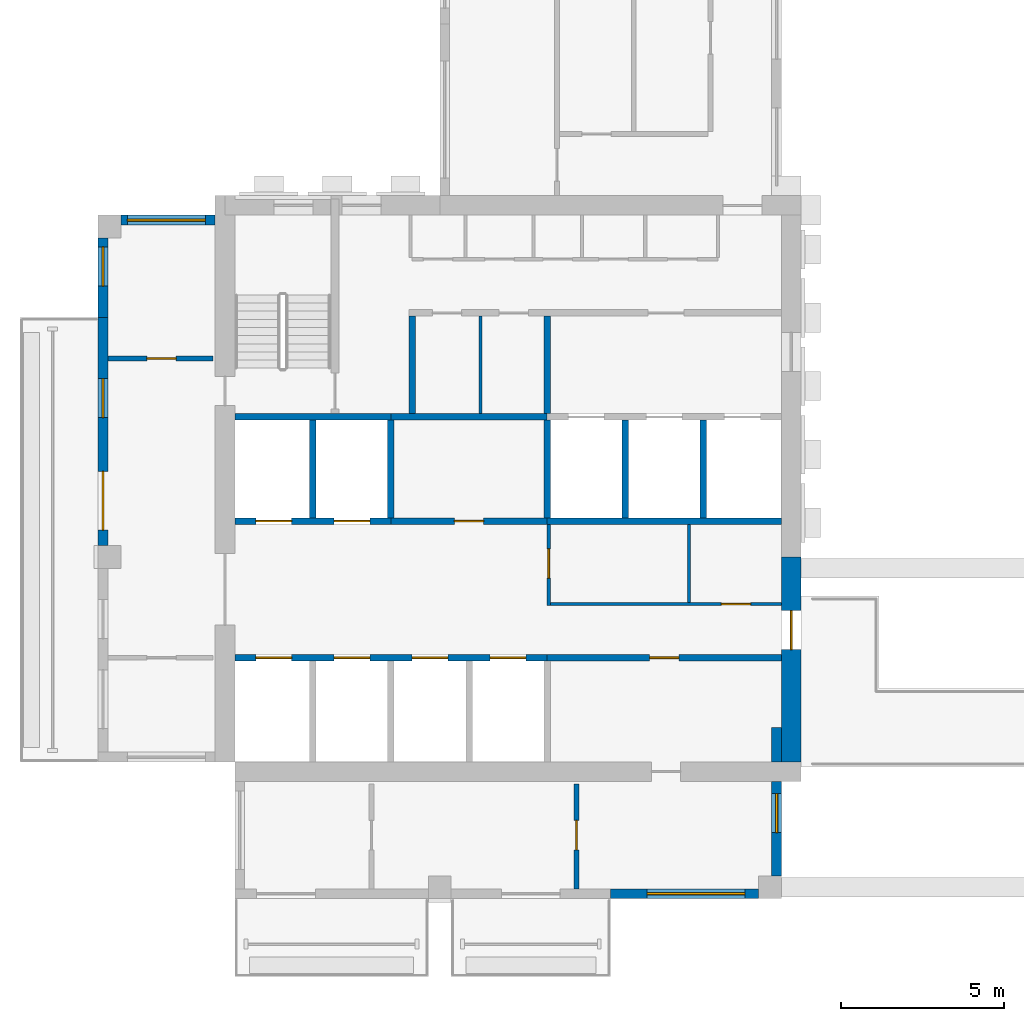
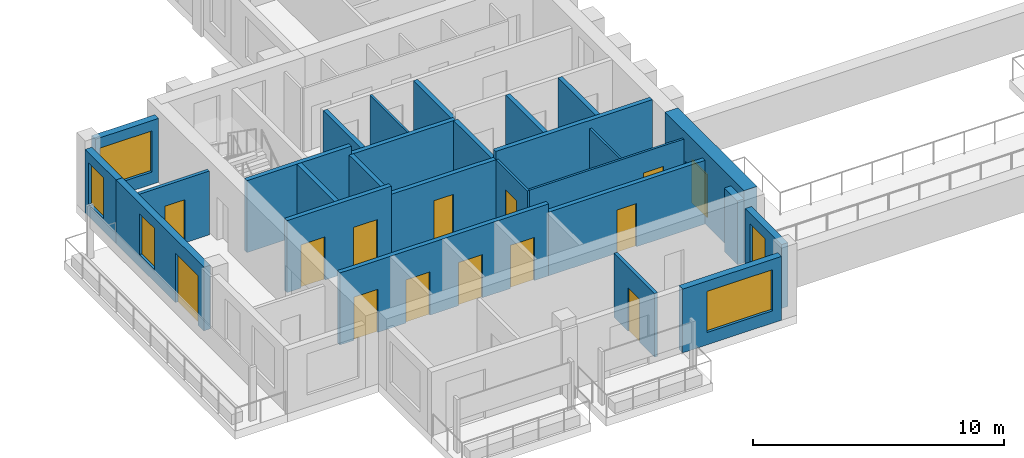
# One storey, part 2 of 9: 27 walls, 14 doors, 5 windows, 19 openings.
"""IFC4 building model written with IfcOpenShell, lengths in metres."""

from ifc_helpers import new_model, si_unit, direction, frame, frame_2d, origin, place, context, subcontext, project, spatial, rectangle, extrude, source, transform, mapped, material, layer, layer_set, type_object, element, fill, save


model = new_model("IFC4")

# Units and contexts
model_context = context("Model", 3, precision=1e-05, world=origin(), true_north=direction((0.0, 1.0)))
body_context = subcontext(model_context, "Body", "Model", "MODEL_VIEW")
ifc_project = project(units=[si_unit("LENGTHUNIT", "METRE"), si_unit("AREAUNIT", "SQUARE_METRE"), si_unit("VOLUMEUNIT", "CUBIC_METRE"), si_unit("PLANEANGLEUNIT", "RADIAN"), si_unit("MASSUNIT", "GRAM", prefix="KILO")], contexts=[model_context])

# Site, building, storey
site_placement = place(None, origin())
site = spatial("IfcSite", under=ifc_project, at=site_placement, CompositionType="ELEMENT")
building_placement = place(site_placement, origin())
building = spatial("IfcBuilding", under=site, at=building_placement, Name="Aurelian Terraces", CompositionType="ELEMENT")
storey_placement = place(building_placement, frame((0.0, 0.0, 305.5)))
storey = spatial("IfcBuildingStorey", under=building, at=storey_placement, Name="L70", CompositionType="ELEMENT", Elevation=305.5)

# Wall, opening, door
ifc_material_1 = material(Name="Concrete fc' 55 MPa", Category="concrete")
ifc_layer_1 = layer(ifc_material_1, 0.6)
ifc_layer_set_1 = layer_set([ifc_layer_1], Name="CORE WALL 600 FC55")
wall_type_1 = type_object("IfcWallType", Name="CORE WALL 600 FC55", PredefinedType="SHEAR", material=ifc_layer_set_1)
shared_shape_1 = source(origin(), body_context, "Body", "SweptSolid", [
    extrude(rectangle(XDim=6.3, YDim=0.6, at=frame_2d((3.15, 0.0))), origin(), (0.0, 0.0, 1.0), 3.5),
])
wall_1_placement = place(storey_placement, frame((21.3, 4.2, 0.0), z_axis=(0.0, 0.0, 1.0), x_axis=(0.0, 1.0, 0.0)))
wall_1 = element("IfcWall", 1, at=wall_1_placement, inside=storey, type_object=wall_type_1, Name="Core wall E L70", PredefinedType="SHEAR", context=body_context, shape_type="MappedRepresentation", body=[
    mapped(shared_shape_1, transform((0.0, 0.0, 0.0), scale=1.0)),
])
shared_shape_2 = source(origin(), body_context, "Body", "SweptSolid", [
    extrude(rectangle(XDim=1.2, YDim=2.1, at=frame_2d((0.6, 1.05))), frame((0.0, 0.31, 0.0), z_axis=(0.0, -1.0, 0.0), x_axis=(1.0, 0.0, 0.0)), (0.0, 0.0, 1.0), 0.62),
])
opening_1_placement = place(wall_1_placement, frame((3.45, 0.0, 0.0)))
opening_1 = element("IfcOpeningElement", 2, at=opening_1_placement, cuts=wall_1, Name="Opening 67330", PredefinedType="OPENING", context=body_context, shape_type="MappedRepresentation", body=[
    mapped(shared_shape_2, transform((0.0, 0.0, 0.0), scale=1.0)),
])
ifc_material_2 = material(Name="Steel door leaf", Category="steel")
door_type_1 = type_object("IfcDoorType", Name="Core fire door 1200x2100 right", OperationType="SINGLE_SWING_RIGHT", PredefinedType="DOOR", material=ifc_material_2)
shared_shape_3 = source(origin(), body_context, "Body", "SweptSolid", [
    extrude(rectangle(XDim=1.2, YDim=2.1, at=frame_2d((0.6, 1.05))), frame((0.0, 0.025, 0.0), z_axis=(0.0, -1.0, 0.0), x_axis=(1.0, 0.0, 0.0)), (0.0, 0.0, 1.0), 0.05),
])
door_1_placement = place(opening_1_placement, origin())
door_1 = element("IfcDoor", 3, at=door_1_placement, inside=storey, type_object=door_type_1, Name="Core door 67330", OperationType="SINGLE_SWING_RIGHT", OverallHeight=2.1, OverallWidth=1.2, PredefinedType="DOOR", context=body_context, shape_type="MappedRepresentation", body=[
    mapped(shared_shape_3, transform((0.0, 0.0, 0.0), scale=1.0)),
])
fill(opening_1, door_1)

# Wall, opening, window
ifc_material_3 = material(Name="Terracotta rainscreen cladding", Category="masonry")
ifc_layer_2 = layer(ifc_material_3, 0.3)
ifc_layer_set_2 = layer_set([ifc_layer_2], Name="EW-300")
wall_type_2 = type_object("IfcWallType", Name="EW-300", PredefinedType="STANDARD", material=ifc_layer_set_2)
shared_shape_4 = source(origin(), body_context, "Body", "SweptSolid", [
    extrude(rectangle(XDim=2.9, YDim=0.3, at=frame_2d((1.45, 0.0))), origin(), (0.0, 0.0, 1.0), 3.1),
])
wall_2_placement = place(storey_placement, frame((20.85, 0.7, 0.0), z_axis=(0.0, 0.0, 1.0), x_axis=(0.0, 1.0, 0.0)))
wall_2 = element("IfcWall", 4, at=wall_2_placement, inside=storey, type_object=wall_type_2, Name="External wall L70 F02.4", PredefinedType="STANDARD", context=body_context, shape_type="MappedRepresentation", body=[
    mapped(shared_shape_4, transform((0.0, 0.0, 0.0), scale=1.0)),
])
shared_shape_5 = source(origin(), body_context, "Body", "SweptSolid", [
    extrude(rectangle(XDim=1.2, YDim=2.0, at=frame_2d((0.6, 1.0))), frame((0.0, 0.16, 0.0), z_axis=(0.0, -1.0, 0.0), x_axis=(1.0, 0.0, 0.0)), (0.0, 0.0, 1.0), 0.32),
])
opening_2_placement = place(wall_2_placement, frame((1.325, 0.0, 0.6)))
opening_2 = element("IfcOpeningElement", 5, at=opening_2_placement, cuts=wall_2, Name="Opening W1220", PredefinedType="OPENING", context=body_context, shape_type="MappedRepresentation", body=[
    mapped(shared_shape_5, transform((0.0, 0.0, 0.0), scale=1.0)),
])
ifc_material_4 = material(Name="Clear glazing", Category="glass")
window_type_1 = type_object("IfcWindowType", Name="W-1200x2000", PartitioningType="SINGLE_PANEL", PredefinedType="WINDOW", material=ifc_material_4)
shared_shape_6 = source(origin(), body_context, "Body", "SweptSolid", [
    extrude(rectangle(XDim=1.2, YDim=2.0, at=frame_2d((0.6, 1.0))), frame((0.0, 0.03, 0.0), z_axis=(0.0, -1.0, 0.0), x_axis=(1.0, 0.0, 0.0)), (0.0, 0.0, 1.0), 0.06),
])
window_1_placement = place(opening_2_placement, origin())
window_1 = element("IfcWindow", 6, at=window_1_placement, inside=storey, type_object=window_type_1, Name="Window L70 L70-F02-04-0", OverallHeight=2.0, OverallWidth=1.2, PartitioningType="SINGLE_PANEL", PredefinedType="WINDOW", context=body_context, shape_type="MappedRepresentation", body=[
    mapped(shared_shape_6, transform((0.0, 0.0, 0.0), scale=1.0)),
])
fill(opening_2, window_1)

wall_3_placement = place(storey_placement, frame((3.6, 20.85, 0.0), z_axis=(0.0, 0.0, 1.0), x_axis=(-1.0, 0.0, 0.0)))
wall_3 = element("IfcWall", 7, at=wall_3_placement, inside=storey, type_object=wall_type_2, Name="External wall L70 F09.18", PredefinedType="STANDARD", context=body_context, shape_type="MappedRepresentation", body=[
    mapped(shared_shape_4, transform((0.0, 0.0, 0.0), scale=1.0)),
])
shared_shape_7 = source(origin(), body_context, "Body", "SweptSolid", [
    extrude(rectangle(XDim=2.4, YDim=2.0, at=frame_2d((1.2, 1.0))), frame((0.0, 0.16, 0.0), z_axis=(0.0, -1.0, 0.0), x_axis=(1.0, 0.0, 0.0)), (0.0, 0.0, 1.0), 0.32),
])
opening_3_placement = place(wall_3_placement, frame((0.3, 0.0, 0.6)))
opening_3 = element("IfcOpeningElement", 8, at=opening_3_placement, cuts=wall_3, Name="Opening W2420", PredefinedType="OPENING", context=body_context, shape_type="MappedRepresentation", body=[
    mapped(shared_shape_7, transform((0.0, 0.0, 0.0), scale=1.0)),
])
window_type_2 = type_object("IfcWindowType", Name="W-2400x2000", PartitioningType="SINGLE_PANEL", PredefinedType="WINDOW", material=ifc_material_4)
shared_shape_8 = source(origin(), body_context, "Body", "SweptSolid", [
    extrude(rectangle(XDim=2.4, YDim=2.0, at=frame_2d((1.2, 1.0))), frame((0.0, 0.03, 0.0), z_axis=(0.0, -1.0, 0.0), x_axis=(1.0, 0.0, 0.0)), (0.0, 0.0, 1.0), 0.06),
])
window_2_placement = place(opening_3_placement, origin())
window_2 = element("IfcWindow", 9, at=window_2_placement, inside=storey, type_object=window_type_2, Name="Window L70 L70-F09-18-0", OverallHeight=2.0, OverallWidth=2.4, PartitioningType="SINGLE_PANEL", PredefinedType="WINDOW", context=body_context, shape_type="MappedRepresentation", body=[
    mapped(shared_shape_8, transform((0.0, 0.0, 0.0), scale=1.0)),
])
fill(opening_3, window_2)

# Wall
shared_shape_9 = source(origin(), body_context, "Body", "SweptSolid", [
    extrude(rectangle(XDim=1.05, YDim=0.3, at=frame_2d((0.525, 0.0))), origin(), (0.0, 0.0, 1.0), 3.1),
])
wall_4_placement = place(storey_placement, frame((20.85, 4.2, 0.0), z_axis=(0.0, 0.0, 1.0), x_axis=(0.0, 1.0, 0.0)))
element("IfcWall", 10, at=wall_4_placement, inside=storey, type_object=wall_type_2, Name="External wall L70 F02.4", PredefinedType="STANDARD", context=body_context, shape_type="MappedRepresentation", body=[
    mapped(shared_shape_9, transform((0.0, 0.0, 0.0), scale=1.0)),
])

# Wall, opening, window
shared_shape_10 = source(origin(), body_context, "Body", "SweptSolid", [
    extrude(rectangle(XDim=2.45, YDim=0.3, at=frame_2d((1.225, 0.0))), origin(), (0.0, 0.0, 1.0), 3.1),
])
wall_5_placement = place(storey_placement, frame((0.15, 20.3, 0.0), z_axis=(0.0, 0.0, 1.0), x_axis=(0.0, -1.0, 0.0)))
wall_5 = element("IfcWall", 11, at=wall_5_placement, inside=storey, type_object=wall_type_2, Name="External wall L70 F10.19", PredefinedType="STANDARD", context=body_context, shape_type="MappedRepresentation", body=[
    mapped(shared_shape_10, transform((0.0, 0.0, 0.0), scale=1.0)),
])
opening_4_placement = place(wall_5_placement, frame((0.275, 0.0, 0.6)))
opening_4 = element("IfcOpeningElement", 12, at=opening_4_placement, cuts=wall_5, Name="Opening W1220", PredefinedType="OPENING", context=body_context, shape_type="MappedRepresentation", body=[
    mapped(shared_shape_5, transform((0.0, 0.0, 0.0), scale=1.0)),
])
window_3_placement = place(opening_4_placement, origin())
window_3 = element("IfcWindow", 13, at=window_3_placement, inside=storey, type_object=window_type_1, Name="Window L70 L70-F10-19-0", OverallHeight=2.0, OverallWidth=1.2, PartitioningType="SINGLE_PANEL", PredefinedType="WINDOW", context=body_context, shape_type="MappedRepresentation", body=[
    mapped(shared_shape_6, transform((0.0, 0.0, 0.0), scale=1.0)),
])
fill(opening_4, window_3)

# Wall, openings, door, window
shared_shape_11 = source(origin(), body_context, "Body", "SweptSolid", [
    extrude(rectangle(XDim=7.0, YDim=0.3, at=frame_2d((3.5, 0.0))), origin(), (0.0, 0.0, 1.0), 3.1),
])
wall_6_placement = place(storey_placement, frame((0.15, 17.85, 0.0), z_axis=(0.0, 0.0, 1.0), x_axis=(0.0, -1.0, 0.0)))
wall_6 = element("IfcWall", 14, at=wall_6_placement, inside=storey, type_object=wall_type_2, Name="External wall L70 F10.20", PredefinedType="STANDARD", context=body_context, shape_type="MappedRepresentation", body=[
    mapped(shared_shape_11, transform((0.0, 0.0, 0.0), scale=1.0)),
])
shared_shape_12 = source(origin(), body_context, "Body", "SweptSolid", [
    extrude(rectangle(XDim=1.8, YDim=2.4, at=frame_2d((0.9, 1.2))), frame((0.0, 0.16, 0.0), z_axis=(0.0, -1.0, 0.0), x_axis=(1.0, 0.0, 0.0)), (0.0, 0.0, 1.0), 0.32),
])
opening_5_placement = place(wall_6_placement, frame((4.725, 0.0, 0.0)))
opening_5 = element("IfcOpeningElement", 15, at=opening_5_placement, cuts=wall_6, Name="Opening 87003", PredefinedType="OPENING", context=body_context, shape_type="MappedRepresentation", body=[
    mapped(shared_shape_12, transform((0.0, 0.0, 0.0), scale=1.0)),
])
opening_6_placement = place(wall_6_placement, frame((1.8688, 0.0, 0.6)))
opening_6 = element("IfcOpeningElement", 16, at=opening_6_placement, cuts=wall_6, Name="Opening W1220", PredefinedType="OPENING", context=body_context, shape_type="MappedRepresentation", body=[
    mapped(shared_shape_5, transform((0.0, 0.0, 0.0), scale=1.0)),
])
door_type_2 = type_object("IfcDoorType", Name="BD-1800x2400", OperationType="SLIDING_TO_LEFT", PredefinedType="DOOR", material=ifc_material_4)
shared_shape_13 = source(origin(), body_context, "Body", "SweptSolid", [
    extrude(rectangle(XDim=1.8, YDim=2.4, at=frame_2d((0.9, 1.2))), frame((0.0, 0.025, 0.0), z_axis=(0.0, -1.0, 0.0), x_axis=(1.0, 0.0, 0.0)), (0.0, 0.0, 1.0), 0.05),
])
door_2_placement = place(opening_5_placement, origin())
door_2 = element("IfcDoor", 17, at=door_2_placement, inside=storey, type_object=door_type_2, Name="Balcony door L70 F10.20", OperationType="SLIDING_TO_LEFT", OverallHeight=2.4, OverallWidth=1.8, PredefinedType="DOOR", context=body_context, shape_type="MappedRepresentation", body=[
    mapped(shared_shape_13, transform((0.0, 0.0, 0.0), scale=1.0)),
])
fill(opening_5, door_2)
window_4_placement = place(opening_6_placement, origin())
window_4 = element("IfcWindow", 18, at=window_4_placement, inside=storey, type_object=window_type_1, Name="Window L70 L70-F10-20-G0-0", OverallHeight=2.0, OverallWidth=1.2, PartitioningType="SINGLE_PANEL", PredefinedType="WINDOW", context=body_context, shape_type="MappedRepresentation", body=[
    mapped(shared_shape_6, transform((0.0, 0.0, 0.0), scale=1.0)),
])
fill(opening_6, window_4)

# Wall, opening, window
shared_shape_14 = source(origin(), body_context, "Body", "SweptSolid", [
    extrude(rectangle(XDim=4.55, YDim=0.3, at=frame_2d((2.275, 0.0))), origin(), (0.0, 0.0, 1.0), 3.1),
])
wall_7_placement = place(storey_placement, frame((15.75, 0.15, 0.0), z_axis=(0.0, 0.0, 1.0), x_axis=(1.0, 0.0, 0.0)))
wall_7 = element("IfcWall", 19, at=wall_7_placement, inside=storey, type_object=wall_type_2, Name="External wall L70 F01.3", PredefinedType="STANDARD", context=body_context, shape_type="MappedRepresentation", body=[
    mapped(shared_shape_14, transform((0.0, 0.0, 0.0), scale=1.0)),
])
shared_shape_15 = source(origin(), body_context, "Body", "SweptSolid", [
    extrude(rectangle(XDim=3.0, YDim=2.0, at=frame_2d((1.5, 1.0))), frame((0.0, 0.16, 0.0), z_axis=(0.0, -1.0, 0.0), x_axis=(1.0, 0.0, 0.0)), (0.0, 0.0, 1.0), 0.32),
])
opening_7_placement = place(wall_7_placement, frame((1.125, 0.0, 0.6)))
opening_7 = element("IfcOpeningElement", 20, at=opening_7_placement, cuts=wall_7, Name="Opening W3020", PredefinedType="OPENING", context=body_context, shape_type="MappedRepresentation", body=[
    mapped(shared_shape_15, transform((0.0, 0.0, 0.0), scale=1.0)),
])
window_type_3 = type_object("IfcWindowType", Name="W-3000x2000", PartitioningType="SINGLE_PANEL", PredefinedType="WINDOW", material=ifc_material_4)
shared_shape_16 = source(origin(), body_context, "Body", "SweptSolid", [
    extrude(rectangle(XDim=3.0, YDim=2.0, at=frame_2d((1.5, 1.0))), frame((0.0, 0.03, 0.0), z_axis=(0.0, -1.0, 0.0), x_axis=(1.0, 0.0, 0.0)), (0.0, 0.0, 1.0), 0.06),
])
window_5_placement = place(opening_7_placement, origin())
window_5 = element("IfcWindow", 21, at=window_5_placement, inside=storey, type_object=window_type_3, Name="Window L70 L70-F01-03-0", OverallHeight=2.0, OverallWidth=3.0, PartitioningType="SINGLE_PANEL", PredefinedType="WINDOW", context=body_context, shape_type="MappedRepresentation", body=[
    mapped(shared_shape_16, transform((0.0, 0.0, 0.0), scale=1.0)),
])
fill(opening_7, window_5)

# Walls
ifc_material_5 = material(Name="Concrete fc' 40 MPa", Category="concrete")
ifc_layer_3 = layer(ifc_material_5, 0.2)
ifc_layer_set_3 = layer_set([ifc_layer_3], Name="Lift shaft wall 200")
wall_type_3 = type_object("IfcWallType", Name="Lift shaft wall 200", PredefinedType="SOLIDWALL", material=ifc_layer_set_3)
shared_shape_17 = source(origin(), body_context, "Body", "SweptSolid", [
    extrude(rectangle(XDim=3.0, YDim=0.2, at=frame_2d((1.5, 0.0))), origin(), (0.0, 0.0, 1.0), 3.1),
])
for number, where, z_axis, x_axis, name in (
    (22, (9.0, 11.7, 0.0), (0.0, 0.0, 1.0), (0.0, 1.0, 0.0), "L70 core wall CD-B2"),
    (23, (13.8, 11.7, 0.0), (0.0, 0.0, 1.0), (0.0, 1.0, 0.0), "L70 core wall CD-B4"),
):
    element("IfcWall", number, at=place(storey_placement, frame(where, z_axis=z_axis, x_axis=x_axis)), inside=storey, type_object=wall_type_3, Name=name, PredefinedType="SOLIDWALL", context=body_context, shape_type="MappedRepresentation", body=[
        mapped(shared_shape_17, transform((0.0, 0.0, 0.0), scale=1.0)),
    ])
shared_shape_18 = source(origin(), body_context, "Body", "SweptSolid", [
    extrude(rectangle(XDim=3.0, YDim=0.2, at=frame_2d((1.5, 0.0))), origin(), (0.0, 0.0, 1.0), 3.5),
])
for number, where, z_axis, x_axis, name in (
    (24, (6.6, 11.7, 0.0), (0.0, 0.0, 1.0), (0.0, 1.0, 0.0), "L70 core wall CD-B1"),
    (25, (16.2, 11.7, 0.0), (0.0, 0.0, 1.0), (0.0, 1.0, 0.0), "L70 core wall CD-B5"),
    (26, (18.6, 11.7, 0.0), (0.0, 0.0, 1.0), (0.0, 1.0, 0.0), "L70 core wall CD-B6"),
):
    element("IfcWall", number, at=place(storey_placement, frame(where, z_axis=z_axis, x_axis=x_axis)), inside=storey, type_object=wall_type_3, Name=name, PredefinedType="SOLIDWALL", context=body_context, shape_type="MappedRepresentation", body=[
        mapped(shared_shape_18, transform((0.0, 0.0, 0.0), scale=1.0)),
    ])

# Wall, openings, doors
shared_shape_19 = source(origin(), body_context, "Body", "SweptSolid", [
    extrude(rectangle(XDim=4.8, YDim=0.2, at=frame_2d((2.4, 0.0))), origin(), (0.0, 0.0, 1.0), 3.5),
])
wall_8_placement = place(storey_placement, frame((4.2, 11.6, 0.0), z_axis=(0.0, 0.0, 1.0), x_axis=(1.0, 0.0, 0.0)))
wall_8 = element("IfcWall", 27, at=wall_8_placement, inside=storey, type_object=wall_type_3, Name="L70 core wall CF-BF1", PredefinedType="SOLIDWALL", context=body_context, shape_type="MappedRepresentation", body=[
    mapped(shared_shape_19, transform((0.0, 0.0, 0.0), scale=1.0)),
])
shared_shape_20 = source(origin(), body_context, "Body", "SweptSolid", [
    extrude(rectangle(XDim=1.1, YDim=2.1, at=frame_2d((0.55, 1.05))), frame((0.0, 0.11, 0.0), z_axis=(0.0, -1.0, 0.0), x_axis=(1.0, 0.0, 0.0)), (0.0, 0.0, 1.0), 0.22),
])
opening_8_placement = place(wall_8_placement, frame((0.65, 0.0, 0.0)))
opening_8 = element("IfcOpeningElement", 28, at=opening_8_placement, cuts=wall_8, Name="Opening 67305", PredefinedType="OPENING", context=body_context, shape_type="MappedRepresentation", body=[
    mapped(shared_shape_20, transform((0.0, 0.0, 0.0), scale=1.0)),
])
opening_9_placement = place(wall_8_placement, frame((3.05, 0.0, 0.0)))
opening_9 = element("IfcOpeningElement", 29, at=opening_9_placement, cuts=wall_8, Name="Opening 67306", PredefinedType="OPENING", context=body_context, shape_type="MappedRepresentation", body=[
    mapped(shared_shape_20, transform((0.0, 0.0, 0.0), scale=1.0)),
])
ifc_material_6 = material(Name="Stainless steel", Category="steel")
door_type_3 = type_object("IfcDoorType", Name="Lift landing door 1100x2100", OperationType="SLIDING_TO_LEFT", PredefinedType="DOOR", material=ifc_material_6)
shared_shape_21 = source(origin(), body_context, "Body", "SweptSolid", [
    extrude(rectangle(XDim=1.1, YDim=2.1, at=frame_2d((0.55, 1.05))), frame((0.0, 0.025, 0.0), z_axis=(0.0, -1.0, 0.0), x_axis=(1.0, 0.0, 0.0)), (0.0, 0.0, 1.0), 0.05),
])
door_3_placement = place(opening_8_placement, origin())
door_3 = element("IfcDoor", 30, at=door_3_placement, inside=storey, type_object=door_type_3, Name="Lift landing door LH5 L70", OperationType="SLIDING_TO_LEFT", OverallHeight=2.1, OverallWidth=1.1, PredefinedType="DOOR", context=body_context, shape_type="MappedRepresentation", body=[
    mapped(shared_shape_21, transform((0.0, 0.0, 0.0), scale=1.0)),
])
fill(opening_8, door_3)
door_4_placement = place(opening_9_placement, origin())
door_4 = element("IfcDoor", 31, at=door_4_placement, inside=storey, type_object=door_type_3, Name="Lift landing door LH6 L70", OperationType="SLIDING_TO_LEFT", OverallHeight=2.1, OverallWidth=1.1, PredefinedType="DOOR", context=body_context, shape_type="MappedRepresentation", body=[
    mapped(shared_shape_21, transform((0.0, 0.0, 0.0), scale=1.0)),
])
fill(opening_9, door_4)

# Wall
wall_9_placement = place(storey_placement, frame((4.2, 14.8, 0.0), z_axis=(0.0, 0.0, 1.0), x_axis=(1.0, 0.0, 0.0)))
element("IfcWall", 32, at=wall_9_placement, inside=storey, type_object=wall_type_3, Name="L70 core wall CF-BB1", PredefinedType="SOLIDWALL", context=body_context, shape_type="MappedRepresentation", body=[
    mapped(shared_shape_19, transform((0.0, 0.0, 0.0), scale=1.0)),
])

# Wall, opening, door
shared_shape_22 = source(origin(), body_context, "Body", "SweptSolid", [
    extrude(rectangle(XDim=4.8, YDim=0.2, at=frame_2d((2.4, 0.0))), origin(), (0.0, 0.0, 1.0), 3.1),
])
wall_10_placement = place(storey_placement, frame((9.0, 11.6, 0.0), z_axis=(0.0, 0.0, 1.0), x_axis=(1.0, 0.0, 0.0)))
wall_10 = element("IfcWall", 33, at=wall_10_placement, inside=storey, type_object=wall_type_3, Name="L70 core wall CF-BF2", PredefinedType="SOLIDWALL", context=body_context, shape_type="MappedRepresentation", body=[
    mapped(shared_shape_22, transform((0.0, 0.0, 0.0), scale=1.0)),
])
shared_shape_23 = source(origin(), body_context, "Body", "SweptSolid", [
    extrude(rectangle(XDim=0.9, YDim=2.1, at=frame_2d((0.45, 1.05))), frame((0.0, 0.11, 0.0), z_axis=(0.0, -1.0, 0.0), x_axis=(1.0, 0.0, 0.0)), (0.0, 0.0, 1.0), 0.22),
])
opening_10_placement = place(wall_10_placement, frame((1.95, 0.0, 0.0)))
opening_10 = element("IfcOpeningElement", 34, at=opening_10_placement, cuts=wall_10, Name="Opening 67307", PredefinedType="OPENING", context=body_context, shape_type="MappedRepresentation", body=[
    mapped(shared_shape_23, transform((0.0, 0.0, 0.0), scale=1.0)),
])
door_type_4 = type_object("IfcDoorType", Name="Core service door 900x2100", OperationType="SINGLE_SWING_LEFT", PredefinedType="DOOR", material=ifc_material_2)
shared_shape_24 = source(origin(), body_context, "Body", "SweptSolid", [
    extrude(rectangle(XDim=0.9, YDim=2.1, at=frame_2d((0.45, 1.05))), frame((0.0, 0.025, 0.0), z_axis=(0.0, -1.0, 0.0), x_axis=(1.0, 0.0, 0.0)), (0.0, 0.0, 1.0), 0.05),
])
door_5_placement = place(opening_10_placement, origin())
door_5 = element("IfcDoor", 35, at=door_5_placement, inside=storey, type_object=door_type_4, Name="Room door 67307", OperationType="SINGLE_SWING_LEFT", OverallHeight=2.1, OverallWidth=0.9, PredefinedType="DOOR", context=body_context, shape_type="MappedRepresentation", body=[
    mapped(shared_shape_24, transform((0.0, 0.0, 0.0), scale=1.0)),
])
fill(opening_10, door_5)

# Walls
wall_11_placement = place(storey_placement, frame((9.0, 14.8, 0.0), z_axis=(0.0, 0.0, 1.0), x_axis=(1.0, 0.0, 0.0)))
element("IfcWall", 36, at=wall_11_placement, inside=storey, type_object=wall_type_3, Name="L70 core wall CF-BB2", PredefinedType="SOLIDWALL", context=body_context, shape_type="MappedRepresentation", body=[
    mapped(shared_shape_22, transform((0.0, 0.0, 0.0), scale=1.0)),
])
shared_shape_25 = source(origin(), body_context, "Body", "SweptSolid", [
    extrude(rectangle(XDim=7.2, YDim=0.2, at=frame_2d((3.6, 0.0))), origin(), (0.0, 0.0, 1.0), 3.5),
])
wall_12_placement = place(storey_placement, frame((13.8, 11.6, 0.0), z_axis=(0.0, 0.0, 1.0), x_axis=(1.0, 0.0, 0.0)))
element("IfcWall", 37, at=wall_12_placement, inside=storey, type_object=wall_type_3, Name="L70 core wall CF-BF3", PredefinedType="SOLIDWALL", context=body_context, shape_type="MappedRepresentation", body=[
    mapped(shared_shape_25, transform((0.0, 0.0, 0.0), scale=1.0)),
])
ifc_material_7 = material(Name="Gypsum board on steel studs", Category="steel")
ifc_layer_4 = layer(ifc_material_7, 0.2)
ifc_layer_set_4 = layer_set([ifc_layer_4], Name="Core partition 200")
wall_type_4 = type_object("IfcWallType", Name="Core partition 200", PredefinedType="PARTITIONING", material=ifc_layer_set_4)
shared_shape_26 = source(origin(), body_context, "Body", "SweptSolid", [
    extrude(rectangle(XDim=3.0, YDim=0.2, at=frame_2d((1.5, 0.0))), origin(), (0.0, 0.0, 1.0), 3.1),
])
for number, where, z_axis, x_axis, name in (
    (38, (9.65, 14.9, 0.0), (0.0, 0.0, 1.0), (0.0, 1.0, 0.0), "L70 core wall CP-VEST"),
    (39, (13.8, 14.9, 0.0), (0.0, 0.0, 1.0), (0.0, 1.0, 0.0), "L70 core wall CP-FFL"),
):
    element("IfcWall", number, at=place(storey_placement, frame(where, z_axis=z_axis, x_axis=x_axis)), inside=storey, type_object=wall_type_4, Name=name, PredefinedType="PARTITIONING", context=body_context, shape_type="MappedRepresentation", body=[
        mapped(shared_shape_26, transform((0.0, 0.0, 0.0), scale=1.0)),
    ])

# Wall, openings, doors
shared_shape_27 = source(origin(), body_context, "Body", "SweptSolid", [
    extrude(rectangle(XDim=9.6, YDim=0.2, at=frame_2d((4.8, 0.0))), origin(), (0.0, 0.0, 1.0), 3.5),
])
wall_13_placement = place(storey_placement, frame((4.2, 7.4, 0.0), z_axis=(0.0, 0.0, 1.0), x_axis=(1.0, 0.0, 0.0)))
wall_13 = element("IfcWall", 40, at=wall_13_placement, inside=storey, type_object=wall_type_3, Name="L70 core wall CF-AF1", PredefinedType="SOLIDWALL", context=body_context, shape_type="MappedRepresentation", body=[
    mapped(shared_shape_27, transform((0.0, 0.0, 0.0), scale=1.0)),
])
opening_11_placement = place(wall_13_placement, frame((0.65, 0.0, 0.0)))
opening_11 = element("IfcOpeningElement", 41, at=opening_11_placement, cuts=wall_13, Name="Opening 67300", PredefinedType="OPENING", context=body_context, shape_type="MappedRepresentation", body=[
    mapped(shared_shape_20, transform((0.0, 0.0, 0.0), scale=1.0)),
])
opening_12_placement = place(wall_13_placement, frame((3.05, 0.0, 0.0)))
opening_12 = element("IfcOpeningElement", 42, at=opening_12_placement, cuts=wall_13, Name="Opening 67301", PredefinedType="OPENING", context=body_context, shape_type="MappedRepresentation", body=[
    mapped(shared_shape_20, transform((0.0, 0.0, 0.0), scale=1.0)),
])
opening_13_placement = place(wall_13_placement, frame((5.45, 0.0, 0.0)))
opening_13 = element("IfcOpeningElement", 43, at=opening_13_placement, cuts=wall_13, Name="Opening 67302", PredefinedType="OPENING", context=body_context, shape_type="MappedRepresentation", body=[
    mapped(shared_shape_20, transform((0.0, 0.0, 0.0), scale=1.0)),
])
opening_14_placement = place(wall_13_placement, frame((7.85, 0.0, 0.0)))
opening_14 = element("IfcOpeningElement", 44, at=opening_14_placement, cuts=wall_13, Name="Opening 67303", PredefinedType="OPENING", context=body_context, shape_type="MappedRepresentation", body=[
    mapped(shared_shape_20, transform((0.0, 0.0, 0.0), scale=1.0)),
])
door_6_placement = place(opening_11_placement, origin())
door_6 = element("IfcDoor", 45, at=door_6_placement, inside=storey, type_object=door_type_3, Name="Lift landing door LH1 L70", OperationType="SLIDING_TO_LEFT", OverallHeight=2.1, OverallWidth=1.1, PredefinedType="DOOR", context=body_context, shape_type="MappedRepresentation", body=[
    mapped(shared_shape_21, transform((0.0, 0.0, 0.0), scale=1.0)),
])
fill(opening_11, door_6)
door_7_placement = place(opening_12_placement, origin())
door_7 = element("IfcDoor", 46, at=door_7_placement, inside=storey, type_object=door_type_3, Name="Lift landing door LH2 L70", OperationType="SLIDING_TO_LEFT", OverallHeight=2.1, OverallWidth=1.1, PredefinedType="DOOR", context=body_context, shape_type="MappedRepresentation", body=[
    mapped(shared_shape_21, transform((0.0, 0.0, 0.0), scale=1.0)),
])
fill(opening_12, door_7)
door_8_placement = place(opening_13_placement, origin())
door_8 = element("IfcDoor", 47, at=door_8_placement, inside=storey, type_object=door_type_3, Name="Lift landing door LH3 L70", OperationType="SLIDING_TO_LEFT", OverallHeight=2.1, OverallWidth=1.1, PredefinedType="DOOR", context=body_context, shape_type="MappedRepresentation", body=[
    mapped(shared_shape_21, transform((0.0, 0.0, 0.0), scale=1.0)),
])
fill(opening_13, door_8)
door_9_placement = place(opening_14_placement, origin())
door_9 = element("IfcDoor", 48, at=door_9_placement, inside=storey, type_object=door_type_3, Name="Lift landing door LH4 L70", OperationType="SLIDING_TO_LEFT", OverallHeight=2.1, OverallWidth=1.1, PredefinedType="DOOR", context=body_context, shape_type="MappedRepresentation", body=[
    mapped(shared_shape_21, transform((0.0, 0.0, 0.0), scale=1.0)),
])
fill(opening_14, door_9)

# Wall, opening, door
shared_shape_28 = source(origin(), body_context, "Body", "SweptSolid", [
    extrude(rectangle(XDim=7.2, YDim=0.2, at=frame_2d((3.6, 0.0))), origin(), (0.0, 0.0, 1.0), 3.1),
])
wall_14_placement = place(storey_placement, frame((13.8, 7.4, 0.0), z_axis=(0.0, 0.0, 1.0), x_axis=(1.0, 0.0, 0.0)))
wall_14 = element("IfcWall", 49, at=wall_14_placement, inside=storey, type_object=wall_type_3, Name="L70 core wall CF-AF2", PredefinedType="SOLIDWALL", context=body_context, shape_type="MappedRepresentation", body=[
    mapped(shared_shape_28, transform((0.0, 0.0, 0.0), scale=1.0)),
])
opening_15_placement = place(wall_14_placement, frame((3.15, 0.0, 0.0)))
opening_15 = element("IfcOpeningElement", 50, at=opening_15_placement, cuts=wall_14, Name="Opening 67304", PredefinedType="OPENING", context=body_context, shape_type="MappedRepresentation", body=[
    mapped(shared_shape_23, transform((0.0, 0.0, 0.0), scale=1.0)),
])
door_type_5 = type_object("IfcDoorType", Name="Core service door 900x2100 right", OperationType="SINGLE_SWING_RIGHT", PredefinedType="DOOR", material=ifc_material_2)
door_10_placement = place(opening_15_placement, origin())
door_10 = element("IfcDoor", 51, at=door_10_placement, inside=storey, type_object=door_type_5, Name="Room door 67304", OperationType="SINGLE_SWING_RIGHT", OverallHeight=2.1, OverallWidth=0.9, PredefinedType="DOOR", context=body_context, shape_type="MappedRepresentation", body=[
    mapped(shared_shape_24, transform((0.0, 0.0, 0.0), scale=1.0)),
])
fill(opening_15, door_10)

# Wall
ifc_layer_5 = layer(ifc_material_7, 0.1)
ifc_layer_set_5 = layer_set([ifc_layer_5], Name="Core partition 100")
wall_type_5 = type_object("IfcWallType", Name="Core partition 100", PredefinedType="PARTITIONING", material=ifc_layer_set_5)
shared_shape_29 = source(origin(), body_context, "Body", "SweptSolid", [
    extrude(rectangle(XDim=3.0, YDim=0.1, at=frame_2d((1.5, 0.0))), origin(), (0.0, 0.0, 1.0), 3.1),
])
wall_15_placement = place(storey_placement, frame((11.75, 14.9, 0.0), z_axis=(0.0, 0.0, 1.0), x_axis=(0.0, 1.0, 0.0)))
element("IfcWall", 52, at=wall_15_placement, inside=storey, type_object=wall_type_5, Name="L70 core wall CP-SV1", PredefinedType="PARTITIONING", context=body_context, shape_type="MappedRepresentation", body=[
    mapped(shared_shape_29, transform((0.0, 0.0, 0.0), scale=1.0)),
])

# Wall, opening, door
shared_shape_30 = source(origin(), body_context, "Body", "SweptSolid", [
    extrude(rectangle(XDim=2.5, YDim=0.1, at=frame_2d((1.25, 0.0))), origin(), (0.0, 0.0, 1.0), 3.1),
])
wall_16_placement = place(storey_placement, frame((13.85, 9.0, 0.0), z_axis=(0.0, 0.0, 1.0), x_axis=(0.0, 1.0, 0.0)))
wall_16 = element("IfcWall", 53, at=wall_16_placement, inside=storey, type_object=wall_type_5, Name="L70 core wall SV-EW", PredefinedType="PARTITIONING", context=body_context, shape_type="MappedRepresentation", body=[
    mapped(shared_shape_30, transform((0.0, 0.0, 0.0), scale=1.0)),
])
shared_shape_31 = source(origin(), body_context, "Body", "SweptSolid", [
    extrude(rectangle(XDim=0.9, YDim=2.1, at=frame_2d((0.45, 1.05))), frame((0.0, 0.06, 0.0), z_axis=(0.0, -1.0, 0.0), x_axis=(1.0, 0.0, 0.0)), (0.0, 0.0, 1.0), 0.12),
])
opening_16_placement = place(wall_16_placement, frame((0.85, 0.0, 0.0)))
opening_16 = element("IfcOpeningElement", 54, at=opening_16_placement, cuts=wall_16, Name="Opening 67321", PredefinedType="OPENING", context=body_context, shape_type="MappedRepresentation", body=[
    mapped(shared_shape_31, transform((0.0, 0.0, 0.0), scale=1.0)),
])
door_11_placement = place(opening_16_placement, origin())
door_11 = element("IfcDoor", 55, at=door_11_placement, inside=storey, type_object=door_type_4, Name="Room door 67321", OperationType="SINGLE_SWING_LEFT", OverallHeight=2.1, OverallWidth=0.9, PredefinedType="DOOR", context=body_context, shape_type="MappedRepresentation", body=[
    mapped(shared_shape_24, transform((0.0, 0.0, 0.0), scale=1.0)),
])
fill(opening_16, door_11)

# Wall
shared_shape_32 = source(origin(), body_context, "Body", "SweptSolid", [
    extrude(rectangle(XDim=2.4, YDim=0.1, at=frame_2d((1.2, 0.0))), origin(), (0.0, 0.0, 1.0), 3.1),
])
wall_17_placement = place(storey_placement, frame((18.16, 9.1, 0.0), z_axis=(0.0, 0.0, 1.0), x_axis=(0.0, 1.0, 0.0)))
element("IfcWall", 56, at=wall_17_placement, inside=storey, type_object=wall_type_5, Name="L70 core wall SV-EP", PredefinedType="PARTITIONING", context=body_context, shape_type="MappedRepresentation", body=[
    mapped(shared_shape_32, transform((0.0, 0.0, 0.0), scale=1.0)),
])

# Wall, opening, door
shared_shape_33 = source(origin(), body_context, "Body", "SweptSolid", [
    extrude(rectangle(XDim=7.2, YDim=0.1, at=frame_2d((3.6, 0.0))), origin(), (0.0, 0.0, 1.0), 3.1),
])
wall_18_placement = place(storey_placement, frame((13.8, 9.05, 0.0), z_axis=(0.0, 0.0, 1.0), x_axis=(1.0, 0.0, 0.0)))
wall_18 = element("IfcWall", 57, at=wall_18_placement, inside=storey, type_object=wall_type_5, Name="L70 core wall SV-ES", PredefinedType="PARTITIONING", context=body_context, shape_type="MappedRepresentation", body=[
    mapped(shared_shape_33, transform((0.0, 0.0, 0.0), scale=1.0)),
])
opening_17_placement = place(wall_18_placement, frame((5.355, 0.0, 0.0)))
opening_17 = element("IfcOpeningElement", 58, at=opening_17_placement, cuts=wall_18, Name="Opening 67320", PredefinedType="OPENING", context=body_context, shape_type="MappedRepresentation", body=[
    mapped(shared_shape_31, transform((0.0, 0.0, 0.0), scale=1.0)),
])
door_12_placement = place(opening_17_placement, origin())
door_12 = element("IfcDoor", 59, at=door_12_placement, inside=storey, type_object=door_type_5, Name="Room door 67320", OperationType="SINGLE_SWING_RIGHT", OverallHeight=2.1, OverallWidth=0.9, PredefinedType="DOOR", context=body_context, shape_type="MappedRepresentation", body=[
    mapped(shared_shape_24, transform((0.0, 0.0, 0.0), scale=1.0)),
])
fill(opening_17, door_12)

ifc_layer_6 = layer(ifc_material_7, 0.15)
ifc_layer_set_6 = layer_set([ifc_layer_6], Name="Partition 150")
wall_type_6 = type_object("IfcWallType", Name="Partition 150", PredefinedType="PARTITIONING", material=ifc_layer_set_6)
shared_shape_34 = source(origin(), body_context, "Body", "SweptSolid", [
    extrude(rectangle(XDim=3.225, YDim=0.15, at=frame_2d((1.6125, 0.0))), origin(), (0.0, 0.0, 1.0), 3.1),
])
wall_19_placement = place(storey_placement, frame((14.7, 3.525, 0.0), z_axis=(0.0, 0.0, 1.0), x_axis=(0.0, -1.0, 0.0)))
wall_19 = element("IfcWall", 60, at=wall_19_placement, inside=storey, type_object=wall_type_6, Name="Partition", PredefinedType="PARTITIONING", context=body_context, shape_type="MappedRepresentation", body=[
    mapped(shared_shape_34, transform((0.0, 0.0, 0.0), scale=1.0)),
])
shared_shape_35 = source(origin(), body_context, "Body", "SweptSolid", [
    extrude(rectangle(XDim=0.9, YDim=2.1, at=frame_2d((0.45, 1.05))), frame((0.0, 0.085, 0.0), z_axis=(0.0, -1.0, 0.0), x_axis=(1.0, 0.0, 0.0)), (0.0, 0.0, 1.0), 0.17),
])
opening_18_placement = place(wall_19_placement, frame((1.125, 0.0, 0.0)))
opening_18 = element("IfcOpeningElement", 61, at=opening_18_placement, cuts=wall_19, Name="Opening 770002", PredefinedType="OPENING", context=body_context, shape_type="MappedRepresentation", body=[
    mapped(shared_shape_35, transform((0.0, 0.0, 0.0), scale=1.0)),
])
ifc_material_8 = material(Name="Timber door leaf", Category="wood")
door_type_6 = type_object("IfcDoorType", Name="Room door 900x2100 left", OperationType="SINGLE_SWING_LEFT", PredefinedType="DOOR", material=ifc_material_8)
door_13_placement = place(opening_18_placement, origin())
door_13 = element("IfcDoor", 62, at=door_13_placement, inside=storey, type_object=door_type_6, Name="Door 770002", OperationType="SINGLE_SWING_LEFT", OverallHeight=2.1, OverallWidth=0.9, PredefinedType="DOOR", context=body_context, shape_type="MappedRepresentation", body=[
    mapped(shared_shape_24, transform((0.0, 0.0, 0.0), scale=1.0)),
])
fill(opening_18, door_13)

wall_20_placement = place(storey_placement, frame((0.3, 16.6, 0.0), z_axis=(0.0, 0.0, 1.0), x_axis=(1.0, 0.0, 0.0)))
wall_20 = element("IfcWall", 63, at=wall_20_placement, inside=storey, type_object=wall_type_6, Name="Partition", PredefinedType="PARTITIONING", context=body_context, shape_type="MappedRepresentation", body=[
    mapped(shared_shape_34, transform((0.0, 0.0, 0.0), scale=1.0)),
])
opening_19_placement = place(wall_20_placement, frame((1.2, 0.0, 0.0)))
opening_19 = element("IfcOpeningElement", 64, at=opening_19_placement, cuts=wall_20, Name="Opening 770007", PredefinedType="OPENING", context=body_context, shape_type="MappedRepresentation", body=[
    mapped(shared_shape_35, transform((0.0, 0.0, 0.0), scale=1.0)),
])
door_14_placement = place(opening_19_placement, origin())
door_14 = element("IfcDoor", 65, at=door_14_placement, inside=storey, type_object=door_type_6, Name="Door 770007", OperationType="SINGLE_SWING_LEFT", OverallHeight=2.1, OverallWidth=0.9, PredefinedType="DOOR", context=body_context, shape_type="MappedRepresentation", body=[
    mapped(shared_shape_24, transform((0.0, 0.0, 0.0), scale=1.0)),
])
fill(opening_19, door_14)

save(model, "model.ifc")
